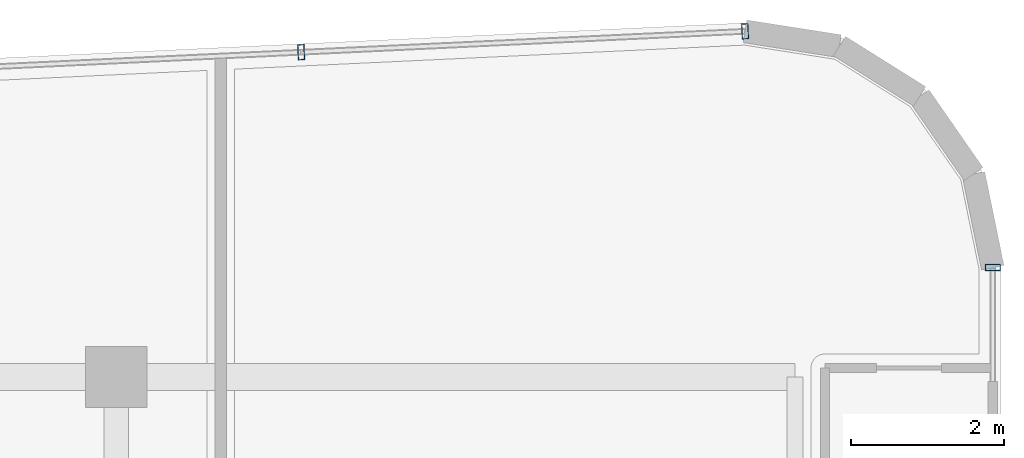
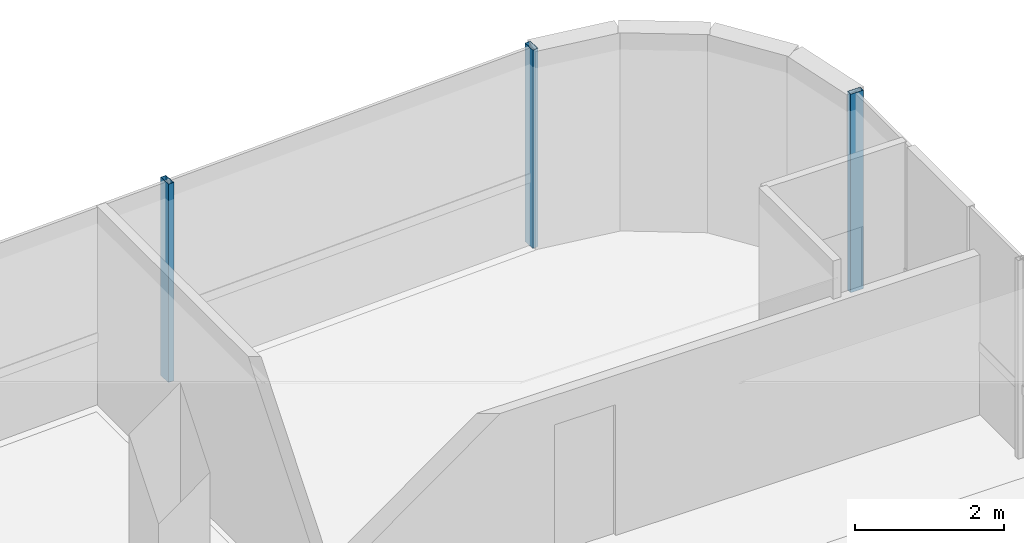
# One storey, part 12 of 20: 3 members, 2 elements without a shape of their own.
"""IFC4 building model written with IfcOpenShell, lengths in metres."""

from ifc_helpers import new_model, si_unit, direction, frame, origin, origin_2d, place, context, subcontext, project, spatial, hollow_rectangle, extrude, source, transform, mapped, material, material_profile, profile_set, type_object, element, aggregate, save


model = new_model("IFC4")

# Units and contexts
model_context = context("Model", 3, precision=1e-05, world=origin(), true_north=direction((0.0, 1.0)))
body_context = subcontext(model_context, "Body", "Model", "MODEL_VIEW")
ifc_project = project(units=[si_unit("LENGTHUNIT", "METRE"), si_unit("AREAUNIT", "SQUARE_METRE"), si_unit("VOLUMEUNIT", "CUBIC_METRE"), si_unit("PLANEANGLEUNIT", "RADIAN"), si_unit("MASSUNIT", "GRAM", prefix="KILO")], contexts=[model_context])

# Site, building, storey
site_placement = place(None, origin())
site = spatial("IfcSite", under=ifc_project, at=site_placement, CompositionType="ELEMENT")
building_placement = place(site_placement, origin())
building = spatial("IfcBuilding", under=site, at=building_placement, Name="Valdorenza Pilgrim Sanctuary Tower", CompositionType="ELEMENT")
storey_placement = place(building_placement, frame((0.0, 0.0, 240.5)))
storey = spatial("IfcBuildingStorey", under=building, at=storey_placement, Name="L62", CompositionType="ELEMENT", Elevation=240.5)

# Curtain wall, members
ifc_material_1 = material(Name="Curtain-wall IGU glazing", Category="glass")
curtain_wall_type = type_object("IfcCurtainWallType", Name="CW-SYS-02", PredefinedType="NOTDEFINED", material=ifc_material_1)
curtain_wall_1_placement = place(storey_placement, origin())
curtain_wall_1 = element("IfcCurtainWall", 1, at=curtain_wall_1_placement, inside=storey, type_object=curtain_wall_type, Name="L62 Curtain Wall CW-L62-1-6", PredefinedType="NOTDEFINED")
ifc_material_2 = material(Name="Anodised aluminium AW-6060", Category="aluminium")
ifc_material_profile = material_profile(ifc_material_2, hollow_rectangle(XDim=0.0849609375, YDim=0.199951171875, WallThickness=0.0048828125, at=origin_2d()), Name="ALU-M 200x85x5")
ifc_profile_set = profile_set([ifc_material_profile], Name="Anodised aluminium AW-6060")
member_type = type_object("IfcMemberType", Name="CW-MUL-02", PredefinedType="MULLION", material=ifc_profile_set)
shared_shape = source(origin(), body_context, "Body", "SweptSolid", [
    extrude(hollow_rectangle(XDim=0.0849609375, YDim=0.199951171875, WallThickness=0.0048828125, at=origin_2d()), origin(), (0.0, 0.0, 1.0), 3.260009765625),
])
member_1_placement = place(storey_placement, frame((-9.976318359375, 19.057373046875, 0.0), z_axis=(0.0, 0.0, 1.0), x_axis=(0.998890696972, 0.047089016785, 0.0)))
member_1 = element("IfcMember", 2, at=member_1_placement, type_object=member_type, Name="CW-L62-1-6 Mullion 4", PredefinedType="MULLION", context=body_context, shape_type="MappedRepresentation", body=[
    mapped(shared_shape, transform((0.0, 0.0, 0.0), x_axis=(1.0, 0.0, 0.0), y_axis=(0.0, 1.0, 0.0), z_axis=(0.0, 0.0, 1.0), scale=1.0)),
])
member_2_placement = place(storey_placement, frame((-4.15673828125, 19.331787109375, 0.0), z_axis=(0.0, 0.0, 1.0), x_axis=(0.998890696972, 0.047089016785, 0.0)))
member_2 = element("IfcMember", 3, at=member_2_placement, type_object=member_type, Name="CW-L62-1-6 Mullion 5", PredefinedType="MULLION", context=body_context, shape_type="MappedRepresentation", body=[
    mapped(shared_shape, transform((0.0, 0.0, 0.0), x_axis=(1.0, 0.0, 0.0), y_axis=(0.0, 1.0, 0.0), z_axis=(0.0, 0.0, 1.0), scale=1.0)),
])
aggregate(curtain_wall_1, [member_1, member_2])

# Curtain wall, member
curtain_wall_2_placement = place(storey_placement, origin())
curtain_wall_2 = element("IfcCurtainWall", 4, at=curtain_wall_2_placement, inside=storey, type_object=curtain_wall_type, Name="L62 Curtain Wall CW-L62-1-11", PredefinedType="NOTDEFINED")
member_3_placement = place(storey_placement, frame((-0.909912109375, 16.234375, 0.0), z_axis=(0.0, 0.0, 1.0), x_axis=(0.0, -1.0, 0.0)))
member_3 = element("IfcMember", 5, at=member_3_placement, type_object=member_type, Name="CW-L62-1-11 Mullion 1", PredefinedType="MULLION", context=body_context, shape_type="MappedRepresentation", body=[
    mapped(shared_shape, transform((0.0, 0.0, 0.0), x_axis=(1.0, 0.0, 0.0), y_axis=(0.0, 1.0, 0.0), z_axis=(0.0, 0.0, 1.0), scale=1.0)),
])
aggregate(curtain_wall_2, [member_3])

save(model, "model.ifc")
